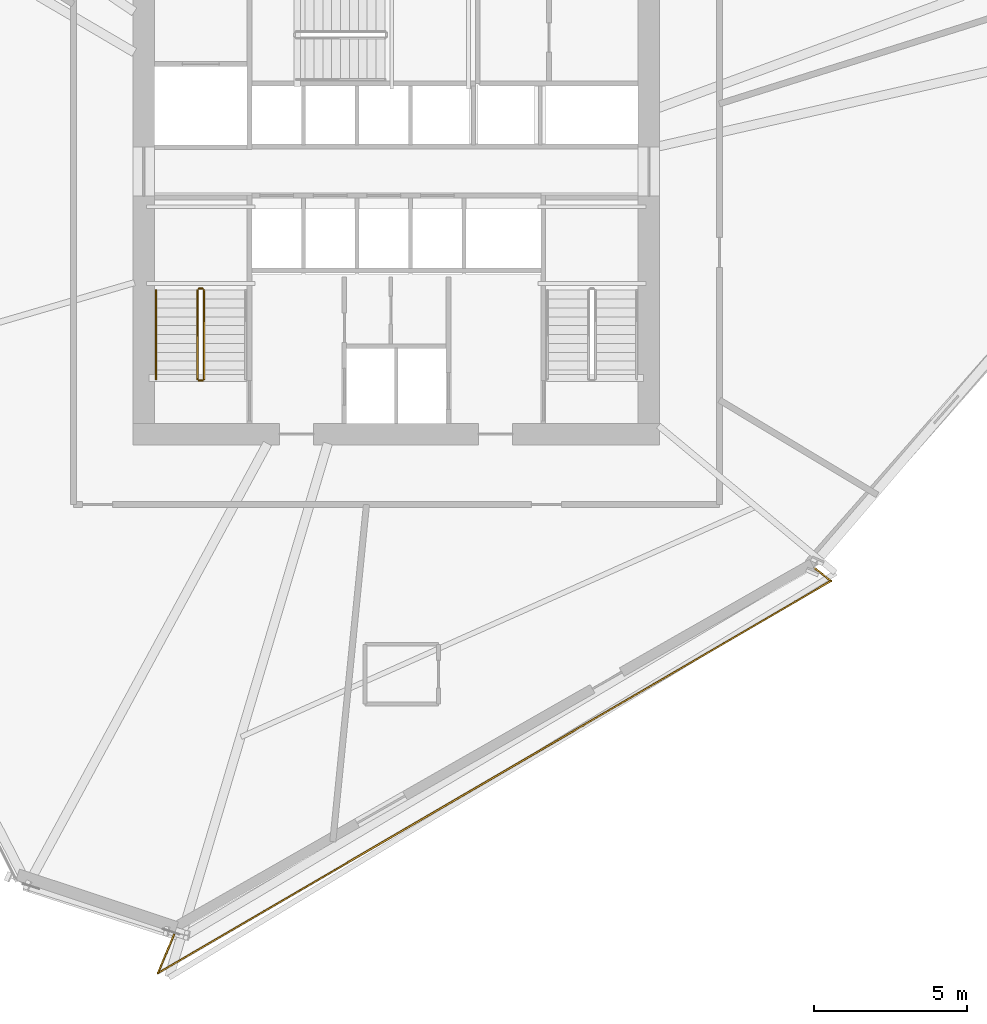
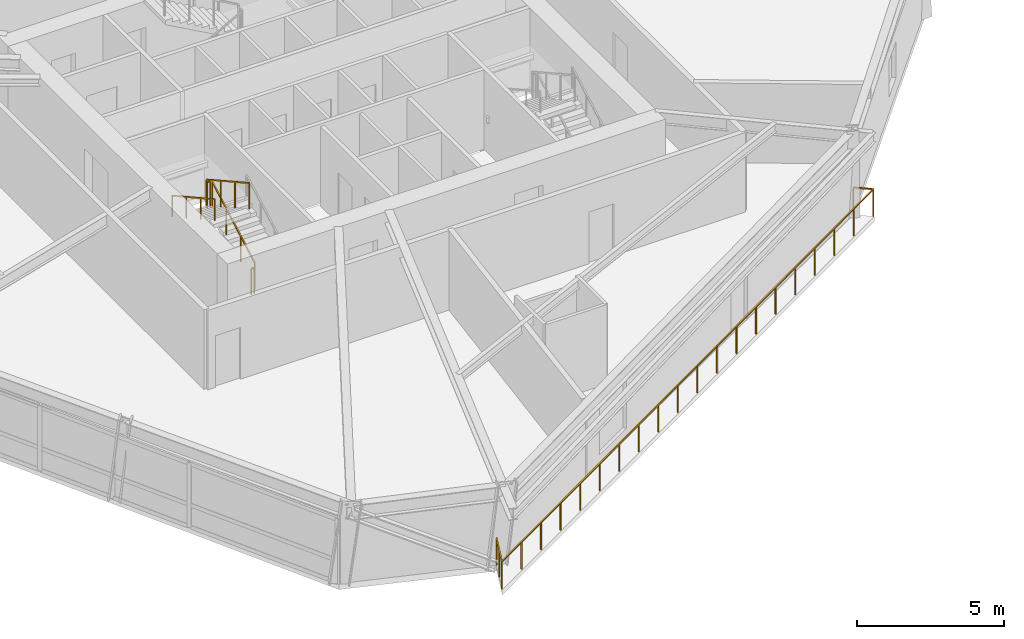
# One storey, part 17 of 20: 6 railings.
"""IFC4 building model written with IfcOpenShell, lengths in metres."""

from ifc_helpers import new_model, si_unit, direction, frame, origin, origin_2d, place, context, subcontext, project, spatial, rectangle, extrude, material, type_object, element, save


model = new_model("IFC4")

# Units and contexts
model_context = context("Model", 3, precision=1e-05, world=origin(), true_north=direction((0.0, 1.0)))
body_context = subcontext(model_context, "Body", "Model", "MODEL_VIEW")
ifc_project = project(units=[si_unit("LENGTHUNIT", "METRE"), si_unit("AREAUNIT", "SQUARE_METRE"), si_unit("VOLUMEUNIT", "CUBIC_METRE"), si_unit("PLANEANGLEUNIT", "RADIAN"), si_unit("MASSUNIT", "GRAM", prefix="KILO")], contexts=[model_context])

# Site, building, storey
site_placement = place(None, origin())
site = spatial("IfcSite", under=ifc_project, at=site_placement, CompositionType="ELEMENT")
building_placement = place(site_placement, origin())
building = spatial("IfcBuilding", under=site, at=building_placement, Name="Olszyna Solenne Hotel", CompositionType="ELEMENT")
storey_placement = place(building_placement, frame((0.0, 0.0, 98.60009765625)))
storey = spatial("IfcBuildingStorey", under=building, at=storey_placement, Name="L25", CompositionType="ELEMENT", Elevation=98.60009765625)

# Railings
ifc_material_1 = material(Name="Anodised bronze aluminium", Category="aluminium")
railing_type_1 = type_object("IfcRailingType", Name="GR-110", PredefinedType="BALUSTRADE", material=ifc_material_1)
railing_1_placement = place(storey_placement, frame((30.76171875, 2.858154296875, 0.0)))
element("IfcRailing", 1, at=railing_1_placement, inside=storey, type_object=railing_type_1, Name="Loggia balcony balustrade guard GR-L25-LG3", PredefinedType="BALUSTRADE", context=body_context, shape_type="SweptSolid", body=[
    extrude(rectangle(XDim=0.048095703125, YDim=0.048095703125, at=origin_2d()), frame((0.0, 0.0, 1.1259765625), z_axis=(-0.383319494845, -0.923615810211, 0.0), x_axis=(0.923615810211, -0.383319494845, 0.0)), (0.0, 0.0, 1.0), 1.41845703125),
    extrude(rectangle(XDim=0.048095703125, YDim=0.048095703125, at=origin_2d()), frame((-0.543701171875, -1.31005859375, 1.1259765625), z_axis=(0.863990500943, 0.503508107462, 0.0), x_axis=(-0.503508107462, 0.863990500943, 0.0)), (0.0, 0.0, 1.0), 25.433837890625),
    extrude(rectangle(XDim=0.048095703125, YDim=0.048095703125, at=origin_2d()), frame((21.430908203125, 11.49609375, 1.1259765625), z_axis=(-0.7866376356, 0.617414957915, 0.0), x_axis=(-0.617414957915, -0.7866376356, 0.0)), (0.0, 0.0, 1.0), 0.689697265625),
    extrude(rectangle(XDim=0.0419921875, YDim=0.0419921875, at=origin_2d()), origin(), (0.0, 0.0, 1.0), 1.101806640625),
    extrude(rectangle(XDim=0.0419921875, YDim=0.0419921875, at=origin_2d()), frame((-0.27197265625, -0.655029296875, 0.0)), (0.0, 0.0, 1.0), 1.101806640625),
    extrude(rectangle(XDim=0.0419921875, YDim=0.0419921875, at=origin_2d()), frame((-0.543701171875, -1.31005859375, 0.0)), (0.0, 0.0, 1.0), 1.101806640625),
    extrude(rectangle(XDim=0.0419921875, YDim=0.0419921875, at=origin_2d()), frame((0.61279296875, -0.635986328125, 0.0)), (0.0, 0.0, 1.0), 1.101806640625),
    extrude(rectangle(XDim=0.0419921875, YDim=0.0419921875, at=origin_2d()), frame((1.76953125, 0.037841796875, 0.0)), (0.0, 0.0, 1.0), 1.101806640625),
    extrude(rectangle(XDim=0.0419921875, YDim=0.0419921875, at=origin_2d()), frame((2.926025390625, 0.7119140625, 0.0)), (0.0, 0.0, 1.0), 1.101806640625),
    extrude(rectangle(XDim=0.0419921875, YDim=0.0419921875, at=origin_2d()), frame((4.08251953125, 1.385986328125, 0.0)), (0.0, 0.0, 1.0), 1.101806640625),
    extrude(rectangle(XDim=0.0419921875, YDim=0.0419921875, at=origin_2d()), frame((5.239013671875, 2.06005859375, 0.0)), (0.0, 0.0, 1.0), 1.101806640625),
    extrude(rectangle(XDim=0.0419921875, YDim=0.0419921875, at=origin_2d()), frame((6.395751953125, 2.73388671875, 0.0)), (0.0, 0.0, 1.0), 1.101806640625),
    extrude(rectangle(XDim=0.0419921875, YDim=0.0419921875, at=origin_2d()), frame((7.55224609375, 3.407958984375, 0.0)), (0.0, 0.0, 1.0), 1.101806640625),
    extrude(rectangle(XDim=0.0419921875, YDim=0.0419921875, at=origin_2d()), frame((8.708740234375, 4.08203125, 0.0)), (0.0, 0.0, 1.0), 1.101806640625),
    extrude(rectangle(XDim=0.0419921875, YDim=0.0419921875, at=origin_2d()), frame((9.865234375, 4.756103515625, 0.0)), (0.0, 0.0, 1.0), 1.101806640625),
    extrude(rectangle(XDim=0.0419921875, YDim=0.0419921875, at=origin_2d()), frame((11.02197265625, 5.429931640625, 0.0)), (0.0, 0.0, 1.0), 1.101806640625),
    extrude(rectangle(XDim=0.0419921875, YDim=0.0419921875, at=origin_2d()), frame((12.178466796875, 6.10400390625, 0.0)), (0.0, 0.0, 1.0), 1.101806640625),
    extrude(rectangle(XDim=0.0419921875, YDim=0.0419921875, at=origin_2d()), frame((13.3349609375, 6.778076171875, 0.0)), (0.0, 0.0, 1.0), 1.101806640625),
    extrude(rectangle(XDim=0.0419921875, YDim=0.0419921875, at=origin_2d()), frame((14.491455078125, 7.4521484375, 0.0)), (0.0, 0.0, 1.0), 1.101806640625),
    extrude(rectangle(XDim=0.0419921875, YDim=0.0419921875, at=origin_2d()), frame((15.648193359375, 8.1259765625, 0.0)), (0.0, 0.0, 1.0), 1.101806640625),
    extrude(rectangle(XDim=0.0419921875, YDim=0.0419921875, at=origin_2d()), frame((16.8046875, 8.800048828125, 0.0)), (0.0, 0.0, 1.0), 1.101806640625),
    extrude(rectangle(XDim=0.0419921875, YDim=0.0419921875, at=origin_2d()), frame((17.961181640625, 9.47412109375, 0.0)), (0.0, 0.0, 1.0), 1.101806640625),
    extrude(rectangle(XDim=0.0419921875, YDim=0.0419921875, at=origin_2d()), frame((19.11767578125, 10.148193359375, 0.0)), (0.0, 0.0, 1.0), 1.101806640625),
    extrude(rectangle(XDim=0.0419921875, YDim=0.0419921875, at=origin_2d()), frame((20.2744140625, 10.822021484375, 0.0)), (0.0, 0.0, 1.0), 1.101806640625),
    extrude(rectangle(XDim=0.0419921875, YDim=0.0419921875, at=origin_2d()), frame((21.430908203125, 11.49609375, 0.0)), (0.0, 0.0, 1.0), 1.101806640625),
    extrude(rectangle(XDim=0.0419921875, YDim=0.0419921875, at=origin_2d()), frame((20.888427734375, 11.921875, 0.0)), (0.0, 0.0, 1.0), 1.101806640625),
])
railing_2_placement = place(storey_placement, frame((31.719970703125, 20.949951171875, 0.161376953125)))
element("IfcRailing", 2, at=railing_2_placement, inside=storey, type_object=railing_type_1, Name="L25 ST1 stair guard 1", PredefinedType="BALUSTRADE", context=body_context, shape_type="SweptSolid", body=[
    extrude(rectangle(XDim=0.048095703125, YDim=0.048095703125, at=origin_2d()), frame((0.0, 0.0, 1.076171875), z_axis=(0.0, 0.873858693841, 0.486179990537), x_axis=(-1.0, 0.0, 0.0)), (0.0, 0.0, 1.0), 3.31884765625),
    extrude(rectangle(XDim=0.0419921875, YDim=0.0419921875, at=origin_2d()), origin(), (0.0, 0.0, 1.0), 1.052001953125),
    extrude(rectangle(XDim=0.0419921875, YDim=0.0419921875, at=origin_2d()), frame((0.0, 0.966796875, 0.537841796875)), (0.0, 0.0, 1.0), 1.052001953125),
    extrude(rectangle(XDim=0.0419921875, YDim=0.0419921875, at=origin_2d()), frame((0.0, 1.933349609375, 1.07568359375)), (0.0, 0.0, 1.0), 1.052001953125),
    extrude(rectangle(XDim=0.0419921875, YDim=0.0419921875, at=origin_2d()), frame((0.0, 2.900146484375, 1.613525390625)), (0.0, 0.0, 1.0), 1.052001953125),
])
railing_3_placement = place(storey_placement, frame((31.669921875, 23.89990234375, 1.77490234375)))
element("IfcRailing", 3, at=railing_3_placement, inside=storey, type_object=railing_type_1, Name="L25 ST1 stair guard 2", PredefinedType="BALUSTRADE", context=body_context, shape_type="SweptSolid", body=[
    extrude(rectangle(XDim=0.048095703125, YDim=0.048095703125, at=origin_2d()), frame((0.0, 0.0, 1.076171875), z_axis=(-1.0, 0.0, 0.0), x_axis=(0.0, -1.0, 0.0)), (0.0, 0.0, 1.0), 0.119873046875),
    extrude(rectangle(XDim=0.0419921875, YDim=0.0419921875, at=origin_2d()), origin(), (0.0, 0.0, 1.0), 1.052001953125),
    extrude(rectangle(XDim=0.0419921875, YDim=0.0419921875, at=origin_2d()), frame((-0.119873046875, 0.0, 0.0)), (0.0, 0.0, 1.0), 1.052001953125),
])
railing_4_placement = place(storey_placement, frame((31.5, 23.85009765625, 1.936279296875)))
element("IfcRailing", 4, at=railing_4_placement, inside=storey, type_object=railing_type_1, Name="L25 ST1 stair guard 3", PredefinedType="BALUSTRADE", context=body_context, shape_type="SweptSolid", body=[
    extrude(rectangle(XDim=0.048095703125, YDim=0.048095703125, at=origin_2d()), frame((0.0, 0.0, 1.076171875), z_axis=(0.0, -0.873858693841, 0.486179990537), x_axis=(1.0, 0.0, 0.0)), (0.0, 0.0, 1.0), 3.31884765625),
    extrude(rectangle(XDim=0.0419921875, YDim=0.0419921875, at=origin_2d()), origin(), (0.0, 0.0, 1.0), 1.052001953125),
    extrude(rectangle(XDim=0.0419921875, YDim=0.0419921875, at=origin_2d()), frame((0.0, -0.966796875, 0.537841796875)), (0.0, 0.0, 1.0), 1.052001953125),
    extrude(rectangle(XDim=0.0419921875, YDim=0.0419921875, at=origin_2d()), frame((0.0, -1.933349609375, 1.07568359375)), (0.0, 0.0, 1.0), 1.052001953125),
    extrude(rectangle(XDim=0.0419921875, YDim=0.0419921875, at=origin_2d()), frame((0.0, -2.900146484375, 1.613525390625)), (0.0, 0.0, 1.0), 1.052001953125),
])
railing_5_placement = place(storey_placement, frame((31.669921875, 20.89990234375, 0.0)))
element("IfcRailing", 5, at=railing_5_placement, inside=storey, type_object=railing_type_1, Name="L25 ST1 stair guard 4", PredefinedType="BALUSTRADE", context=body_context, shape_type="SweptSolid", body=[
    extrude(rectangle(XDim=0.048095703125, YDim=0.048095703125, at=origin_2d()), frame((0.0, 0.0, 1.076171875), z_axis=(-1.0, 0.0, 0.0), x_axis=(0.0, -1.0, 0.0)), (0.0, 0.0, 1.0), 0.119873046875),
    extrude(rectangle(XDim=0.0419921875, YDim=0.0419921875, at=origin_2d()), origin(), (0.0, 0.0, 1.0), 1.052001953125),
    extrude(rectangle(XDim=0.0419921875, YDim=0.0419921875, at=origin_2d()), frame((-0.119873046875, 0.0, 0.0)), (0.0, 0.0, 1.0), 1.052001953125),
])
ifc_material_2 = material(Name="Steel S355J2", Category="steel")
railing_type_2 = type_object("IfcRailingType", Name="HR-090", PredefinedType="HANDRAIL", material=ifc_material_2)
railing_6_placement = place(storey_placement, frame((30.14990234375, 23.85009765625, 1.936279296875)))
element("IfcRailing", 6, at=railing_6_placement, inside=storey, type_object=railing_type_2, Name="L25 ST1 stair handrail 2", PredefinedType="HANDRAIL", context=body_context, shape_type="SweptSolid", body=[
    extrude(rectangle(XDim=0.048095703125, YDim=0.048095703125, at=origin_2d()), frame((0.0, 0.0, 0.8759765625), z_axis=(0.0, -0.873858693841, 0.486179990537), x_axis=(1.0, 0.0, 0.0)), (0.0, 0.0, 1.0), 3.31884765625),
    extrude(rectangle(XDim=0.0419921875, YDim=0.0419921875, at=origin_2d()), origin(), (0.0, 0.0, 1.0), 0.851806640625),
    extrude(rectangle(XDim=0.0419921875, YDim=0.0419921875, at=origin_2d()), frame((0.0, -0.966796875, 0.537841796875)), (0.0, 0.0, 1.0), 0.851806640625),
    extrude(rectangle(XDim=0.0419921875, YDim=0.0419921875, at=origin_2d()), frame((0.0, -1.933349609375, 1.07568359375)), (0.0, 0.0, 1.0), 0.851806640625),
    extrude(rectangle(XDim=0.0419921875, YDim=0.0419921875, at=origin_2d()), frame((0.0, -2.900146484375, 1.613525390625)), (0.0, 0.0, 1.0), 0.851806640625),
])

save(model, "model.ifc")
